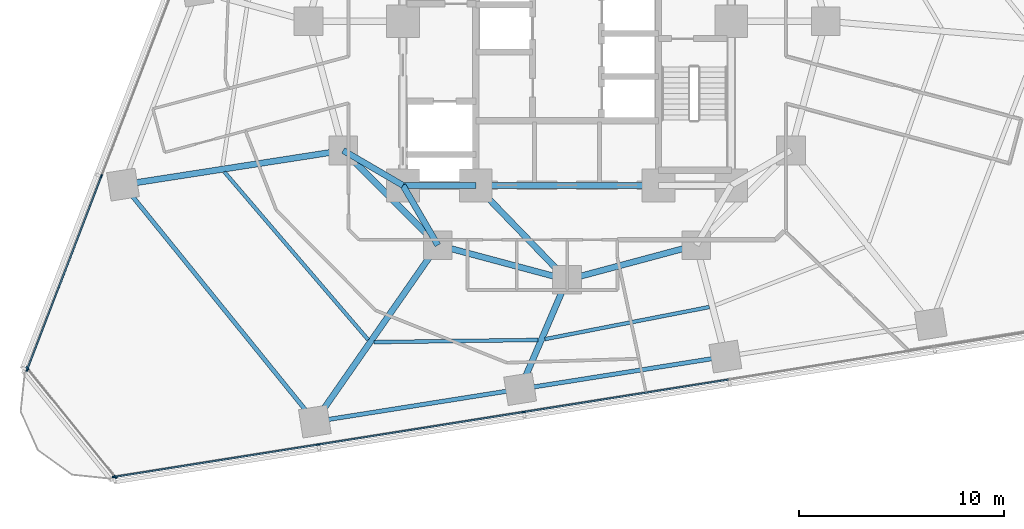
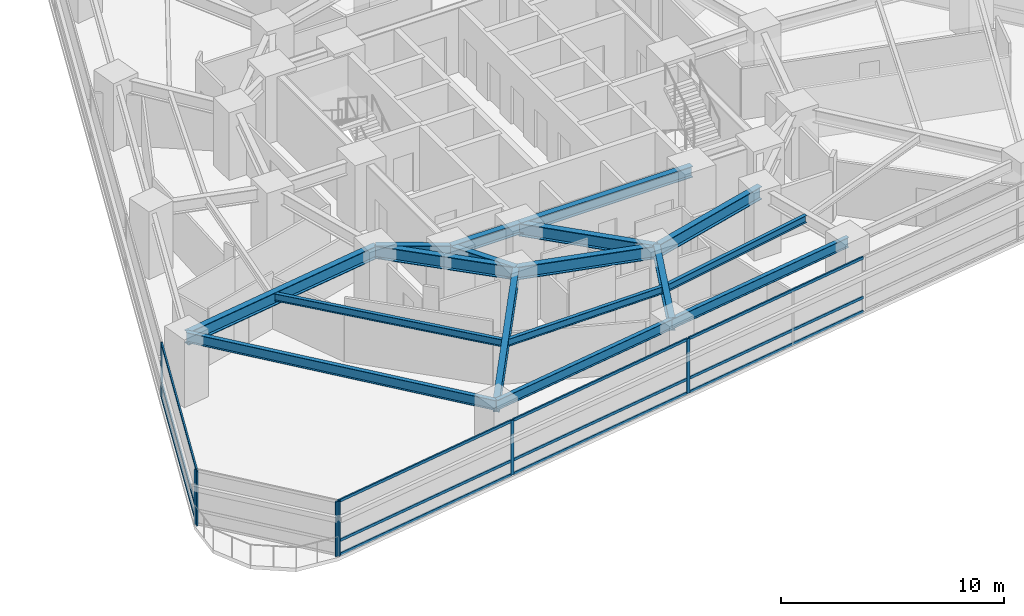
# One storey, part 2 of 14: 19 members, 17 beams, 3 elements without a shape of their own.
"""IFC4 building model written with IfcOpenShell, lengths in metres."""

from ifc_helpers import new_model, si_unit, direction, frame, origin, origin_2d, place, context, subcontext, project, spatial, rectangle, i_section, extrude, material, layer, layer_set, material_profile, profile_set, type_object, element, aggregate, save


model = new_model("IFC4")

# Units and contexts
model_context = context("Model", 3, precision=1e-05, world=origin(), true_north=direction((0.0, 1.0)))
body_context = subcontext(model_context, "Body", "Model", "MODEL_VIEW")
ifc_project = project(units=[si_unit("LENGTHUNIT", "METRE"), si_unit("AREAUNIT", "SQUARE_METRE"), si_unit("VOLUMEUNIT", "CUBIC_METRE"), si_unit("PLANEANGLEUNIT", "RADIAN"), si_unit("MASSUNIT", "GRAM", prefix="KILO")], contexts=[model_context])

# Site, building, storey
site_placement = place(None, origin())
site = spatial("IfcSite", under=ifc_project, at=site_placement, CompositionType="ELEMENT")
building_placement = place(site_placement, origin())
building = spatial("IfcBuilding", under=site, at=building_placement, Name="Terralouvre Media Tower", CompositionType="ELEMENT")
storey_placement = place(building_placement, frame((0.0, 0.0, 74.10009765625)))
storey = spatial("IfcBuildingStorey", under=building, at=storey_placement, Name="L18", CompositionType="ELEMENT", Elevation=74.10009765625)

# Beams
ifc_material_1 = material(Name="Structural steel S355J2", Category="steel")
ifc_material_profile_1 = material_profile(ifc_material_1, i_section(OverallWidth=0.179931640625, OverallDepth=0.39990234375, WebThickness=0.008544921875, FlangeThickness=0.013427734375, at=origin_2d()), Name="IPE 400")
ifc_profile_set_1 = profile_set([ifc_material_profile_1], Name="Structural steel S355J2")
beam_type_1 = type_object("IfcBeamType", Name="Composite Floor Joist J-IPE400 (IPE 400)", PredefinedType="JOIST", material=ifc_profile_set_1)
beam_1_placement = place(storey_placement, frame((-16.69921875, -7.3486328125, 3.2998046875), z_axis=(0.650576599138, -0.759440641955, 0.0), x_axis=(0.759440641955, 0.650576599138, 0.0)))
element("IfcBeam", 1, at=beam_1_placement, inside=storey, type_object=beam_type_1, Name="L18 Framing Beam JT-L18-01", PredefinedType="JOIST", context=body_context, shape_type="SweptSolid", body=[
    extrude(i_section(OverallWidth=0.179931640625, OverallDepth=0.39990234375, WebThickness=0.008544921875, FlangeThickness=0.013427734375, at=origin_2d()), origin(), (0.0, 0.0, 1.0), 10.766845703125),
])
beam_2_placement = place(storey_placement, frame((-9.41259765625, -15.63916015625, 3.2998046875), z_axis=(0.999910093881, 0.013409107136, 0.0), x_axis=(-0.013409107136, 0.999910093881, 0.0)))
element("IfcBeam", 2, at=beam_2_placement, inside=storey, type_object=beam_type_1, Name="L18 Framing Beam JT-L18-02", PredefinedType="JOIST", context=body_context, shape_type="SweptSolid", body=[
    extrude(i_section(OverallWidth=0.179931640625, OverallDepth=0.39990234375, WebThickness=0.008544921875, FlangeThickness=0.013427734375, at=origin_2d()), origin(), (0.0, 0.0, 1.0), 7.992919921875),
])
beam_3_placement = place(storey_placement, frame((-1.08203125, -15.495361328125, 3.2998046875), z_axis=(0.981397676367, 0.191985939127, 0.0), x_axis=(-0.191985939127, 0.981397676367, 0.0)))
element("IfcBeam", 3, at=beam_3_placement, inside=storey, type_object=beam_type_1, Name="L18 Framing Beam JT-L18-03", PredefinedType="JOIST", context=body_context, shape_type="SweptSolid", body=[
    extrude(i_section(OverallWidth=0.179931640625, OverallDepth=0.39990234375, WebThickness=0.008544921875, FlangeThickness=0.013427734375, at=origin_2d()), origin(), (0.0, 0.0, 1.0), 8.165283203125),
])

# Curtain wall, members
ifc_material_2 = material(Name="Low-iron laminated double glazing with solar-control coating", Category="glass")
ifc_layer_1 = layer(ifc_material_2, 0.1650390625, Name="Lower Media Tower Unitised Curtain Wall CW-02")
ifc_layer_set_1 = layer_set([ifc_layer_1], Name="Low-iron laminated double glazing with solar-control coating")
curtain_wall_type_1 = type_object("IfcCurtainWallType", Name="Lower Media Tower Unitised Curtain Wall CW-02", PredefinedType="NOTDEFINED", material=ifc_layer_set_1)
curtain_wall_1_placement = place(storey_placement, origin())
curtain_wall_1 = element("IfcCurtainWall", 4, at=curtain_wall_1_placement, inside=storey, type_object=curtain_wall_type_1, Name="L18 Facade Curtain Wall F0", PredefinedType="NOTDEFINED")
ifc_material_3 = material(Name="Anodised extruded aluminium 6063-T6", Category="aluminium")
ifc_material_profile_2 = material_profile(ifc_material_3, rectangle(XDim=0.074951171875, YDim=0.14990234375, at=origin_2d()), Name="ALU 75x150")
ifc_profile_set_2 = profile_set([ifc_material_profile_2], Name="Anodised extruded aluminium 6063-T6")
member_type_1 = type_object("IfcMemberType", Name="Curtain-Wall Horizontal Transom TR-150", PredefinedType="USERDEFINED", material=ifc_profile_set_2)
member_1_placement = place(storey_placement, frame((-22.04345703125, -22.2001953125, 0.037353515625), z_axis=(0.987689925264, 0.15642445951, 0.0), x_axis=(-0.15642445951, 0.987689925264, 0.0)))
member_1 = element("IfcMember", 5, at=member_1_placement, type_object=member_type_1, Name="CW-02 transom 1.1", ObjectType="TRANSOM", PredefinedType="USERDEFINED", context=body_context, shape_type="SweptSolid", body=[
    extrude(rectangle(XDim=0.074951171875, YDim=0.14990234375, at=origin_2d()), origin(), (0.0, 0.0, 1.0), 10.015380859375),
])
member_2_placement = place(storey_placement, frame((-22.04345703125, -22.2001953125, 0.7998046875), z_axis=(0.987689925264, 0.15642445951, 0.0), x_axis=(-0.15642445951, 0.987689925264, 0.0)))
member_2 = element("IfcMember", 6, at=member_2_placement, type_object=member_type_1, Name="CW-02 transom 1.2", ObjectType="TRANSOM", PredefinedType="USERDEFINED", context=body_context, shape_type="SweptSolid", body=[
    extrude(rectangle(XDim=0.074951171875, YDim=0.14990234375, at=origin_2d()), origin(), (0.0, 0.0, 1.0), 10.015380859375),
])
member_3_placement = place(storey_placement, frame((-22.04345703125, -22.2001953125, 2.96240234375), z_axis=(0.987689925264, 0.15642445951, 0.0), x_axis=(-0.15642445951, 0.987689925264, 0.0)))
member_3 = element("IfcMember", 7, at=member_3_placement, type_object=member_type_1, Name="CW-02 transom 1.3", ObjectType="TRANSOM", PredefinedType="USERDEFINED", context=body_context, shape_type="SweptSolid", body=[
    extrude(rectangle(XDim=0.074951171875, YDim=0.14990234375, at=origin_2d()), origin(), (0.0, 0.0, 1.0), 10.015380859375),
])
member_4_placement = place(storey_placement, frame((-12.0771484375, -20.62158203125, 0.037353515625), z_axis=(0.987690198625, 0.156422733448, 0.0), x_axis=(-0.156422733448, 0.987690198625, 0.0)))
member_4 = element("IfcMember", 8, at=member_4_placement, type_object=member_type_1, Name="CW-02 transom 2.1", ObjectType="TRANSOM", PredefinedType="USERDEFINED", context=body_context, shape_type="SweptSolid", body=[
    extrude(rectangle(XDim=0.074951171875, YDim=0.14990234375, at=origin_2d()), origin(), (0.0, 0.0, 1.0), 10.052978515625),
])
member_5_placement = place(storey_placement, frame((-12.0771484375, -20.62158203125, 0.7998046875), z_axis=(0.987690198625, 0.156422733448, 0.0), x_axis=(-0.156422733448, 0.987690198625, 0.0)))
member_5 = element("IfcMember", 9, at=member_5_placement, type_object=member_type_1, Name="CW-02 transom 2.2", ObjectType="TRANSOM", PredefinedType="USERDEFINED", context=body_context, shape_type="SweptSolid", body=[
    extrude(rectangle(XDim=0.074951171875, YDim=0.14990234375, at=origin_2d()), origin(), (0.0, 0.0, 1.0), 10.052978515625),
])
member_6_placement = place(storey_placement, frame((-12.0771484375, -20.62158203125, 2.96240234375), z_axis=(0.987690198625, 0.156422733448, 0.0), x_axis=(-0.156422733448, 0.987690198625, 0.0)))
member_6 = element("IfcMember", 10, at=member_6_placement, type_object=member_type_1, Name="CW-02 transom 2.3", ObjectType="TRANSOM", PredefinedType="USERDEFINED", context=body_context, shape_type="SweptSolid", body=[
    extrude(rectangle(XDim=0.074951171875, YDim=0.14990234375, at=origin_2d()), origin(), (0.0, 0.0, 1.0), 10.052978515625),
])
member_7_placement = place(storey_placement, frame((-2.073974609375, -19.037353515625, 0.037353515625), z_axis=(0.987686446318, 0.156446424568, 0.0), x_axis=(-0.156446424568, 0.987686446318, 0.0)))
member_7 = element("IfcMember", 11, at=member_7_placement, type_object=member_type_1, Name="CW-02 transom 3.1", ObjectType="TRANSOM", PredefinedType="USERDEFINED", context=body_context, shape_type="SweptSolid", body=[
    extrude(rectangle(XDim=0.074951171875, YDim=0.14990234375, at=origin_2d()), origin(), (0.0, 0.0, 1.0), 10.052978515625),
])
member_8_placement = place(storey_placement, frame((-2.073974609375, -19.037353515625, 0.7998046875), z_axis=(0.987686446318, 0.156446424568, 0.0), x_axis=(-0.156446424568, 0.987686446318, 0.0)))
member_8 = element("IfcMember", 12, at=member_8_placement, type_object=member_type_1, Name="CW-02 transom 3.2", ObjectType="TRANSOM", PredefinedType="USERDEFINED", context=body_context, shape_type="SweptSolid", body=[
    extrude(rectangle(XDim=0.074951171875, YDim=0.14990234375, at=origin_2d()), origin(), (0.0, 0.0, 1.0), 10.052978515625),
])
member_9_placement = place(storey_placement, frame((-2.073974609375, -19.037353515625, 2.96240234375), z_axis=(0.987686446318, 0.156446424568, 0.0), x_axis=(-0.156446424568, 0.987686446318, 0.0)))
member_9 = element("IfcMember", 13, at=member_9_placement, type_object=member_type_1, Name="CW-02 transom 3.3", ObjectType="TRANSOM", PredefinedType="USERDEFINED", context=body_context, shape_type="SweptSolid", body=[
    extrude(rectangle(XDim=0.074951171875, YDim=0.14990234375, at=origin_2d()), origin(), (0.0, 0.0, 1.0), 10.052978515625),
])

curtain_wall_2_placement = place(storey_placement, origin())
curtain_wall_2 = element("IfcCurtainWall", 14, at=curtain_wall_2_placement, inside=storey, type_object=curtain_wall_type_1, Name="L18 Facade Curtain Wall F2", PredefinedType="NOTDEFINED")
member_10_placement = place(storey_placement, frame((-22.708984375, -7.595947265625, 0.037353515625), z_axis=(-0.358363173116, -0.933582259983, 0.0), x_axis=(0.933582259983, -0.358363173116, 0.0)))
member_10 = element("IfcMember", 15, at=member_10_placement, type_object=member_type_1, Name="CW-02 transom 5.1", ObjectType="TRANSOM", PredefinedType="USERDEFINED", context=body_context, shape_type="SweptSolid", body=[
    extrude(rectangle(XDim=0.074951171875, YDim=0.14990234375, at=origin_2d()), origin(), (0.0, 0.0, 1.0), 10.015380859375),
])
member_11_placement = place(storey_placement, frame((-22.708984375, -7.595947265625, 0.7998046875), z_axis=(-0.358363173116, -0.933582259983, 0.0), x_axis=(0.933582259983, -0.358363173116, 0.0)))
member_11 = element("IfcMember", 16, at=member_11_placement, type_object=member_type_1, Name="CW-02 transom 5.2", ObjectType="TRANSOM", PredefinedType="USERDEFINED", context=body_context, shape_type="SweptSolid", body=[
    extrude(rectangle(XDim=0.074951171875, YDim=0.14990234375, at=origin_2d()), origin(), (0.0, 0.0, 1.0), 10.015380859375),
])
member_12_placement = place(storey_placement, frame((-22.708984375, -7.595947265625, 2.96240234375), z_axis=(-0.358363173116, -0.933582259983, 0.0), x_axis=(0.933582259983, -0.358363173116, 0.0)))
member_12 = element("IfcMember", 17, at=member_12_placement, type_object=member_type_1, Name="CW-02 transom 5.3", ObjectType="TRANSOM", PredefinedType="USERDEFINED", context=body_context, shape_type="SweptSolid", body=[
    extrude(rectangle(XDim=0.074951171875, YDim=0.14990234375, at=origin_2d()), origin(), (0.0, 0.0, 1.0), 10.015380859375),
])

# Member
ifc_material_4 = material(Name="Anodised extruded aluminium 6063-T6", Category="aluminium")
ifc_material_profile_3 = material_profile(ifc_material_4, rectangle(XDim=0.074951171875, YDim=0.179931640625, at=origin_2d()), Name="ALU 75x180")
ifc_profile_set_3 = profile_set([ifc_material_profile_3], Name="Anodised extruded aluminium 6063-T6")
member_type_2 = type_object("IfcMemberType", Name="Curtain-Wall Vertical Mullion ML-180", PredefinedType="MULLION", material=ifc_profile_set_3)
member_13_placement = place(storey_placement, frame((-22.08056640625, -22.2060546875, 0.0), z_axis=(0.0, 0.0, 1.0), x_axis=(-0.156434462903, 0.987688340934, 0.0)))
member_13 = element("IfcMember", 18, at=member_13_placement, type_object=member_type_2, Name="CW-02 mullion 1", PredefinedType="MULLION", context=body_context, shape_type="SweptSolid", body=[
    extrude(rectangle(XDim=0.074951171875, YDim=0.179931640625, at=origin_2d()), origin(), (0.0, 0.0, 1.0), 3.0),
])

member_14_placement = place(storey_placement, frame((-12.1142578125, -20.62744140625, 0.0), z_axis=(0.0, 0.0, 1.0), x_axis=(-0.156434462903, 0.987688340934, 0.0)))
member_14 = element("IfcMember", 19, at=member_14_placement, type_object=member_type_2, Name="CW-02 mullion 2", PredefinedType="MULLION", context=body_context, shape_type="SweptSolid", body=[
    extrude(rectangle(XDim=0.074951171875, YDim=0.179931640625, at=origin_2d()), origin(), (0.0, 0.0, 1.0), 3.0),
])

member_15_placement = place(storey_placement, frame((-2.111083984375, -19.043212890625, 0.0), z_axis=(0.0, 0.0, 1.0), x_axis=(-0.156434462903, 0.987688340934, 0.0)))
member_15 = element("IfcMember", 20, at=member_15_placement, type_object=member_type_2, Name="CW-02 mullion 3", PredefinedType="MULLION", context=body_context, shape_type="SweptSolid", body=[
    extrude(rectangle(XDim=0.074951171875, YDim=0.179931640625, at=origin_2d()), origin(), (0.0, 0.0, 1.0), 3.0),
])

aggregate(curtain_wall_1, [member_13, member_14, member_15, member_1, member_2, member_3, member_4, member_5, member_6, member_7, member_8, member_9])

member_16_placement = place(storey_placement, frame((-22.695556640625, -7.560791015625, 0.0), z_axis=(0.0, 0.0, 1.0), x_axis=(0.933580438988, -0.358367917006, 0.0)))
member_16 = element("IfcMember", 21, at=member_16_placement, type_object=member_type_2, Name="CW-02 mullion 5", PredefinedType="MULLION", context=body_context, shape_type="SweptSolid", body=[
    extrude(rectangle(XDim=0.074951171875, YDim=0.179931640625, at=origin_2d()), origin(), (0.0, 0.0, 1.0), 3.0),
])

member_17_placement = place(storey_placement, frame((-26.3115234375, -16.981201171875, 0.0), z_axis=(0.0, 0.0, 1.0), x_axis=(0.933580438988, -0.358367917006, 0.0)))
member_17 = element("IfcMember", 22, at=member_17_placement, type_object=member_type_2, Name="CW-02 mullion 6", PredefinedType="MULLION", context=body_context, shape_type="SweptSolid", body=[
    extrude(rectangle(XDim=0.074951171875, YDim=0.179931640625, at=origin_2d()), origin(), (0.0, 0.0, 1.0), 3.0),
])

aggregate(curtain_wall_2, [member_16, member_17, member_10, member_11, member_12])

# Curtain wall, members
ifc_material_5 = material(Name="Low-iron laminated double glazing with solar-control coating", Category="glass")
ifc_layer_2 = layer(ifc_material_5, 0.1650390625, Name="Rounded Wind-Corner Curved Glazing CW-04")
ifc_layer_set_2 = layer_set([ifc_layer_2], Name="Low-iron laminated double glazing with solar-control coating")
curtain_wall_type_2 = type_object("IfcCurtainWallType", Name="Rounded Wind-Corner Curved Glazing CW-04", PredefinedType="NOTDEFINED", material=ifc_layer_set_2)
curtain_wall_3_placement = place(storey_placement, origin())
curtain_wall_3 = element("IfcCurtainWall", 23, at=curtain_wall_3_placement, inside=storey, type_object=curtain_wall_type_2, Name="L18 Rounded Wind-Corner Curtain Wall C0", PredefinedType="NOTDEFINED")
member_18_placement = place(storey_placement, frame((-26.3046875, -16.9140625, 0.0), z_axis=(0.0, 0.0, 1.0), x_axis=(0.777146252262, 0.629320031936, 0.0)))
member_18 = element("IfcMember", 24, at=member_18_placement, type_object=member_type_2, Name="CW-04 mullion 1", PredefinedType="MULLION", context=body_context, shape_type="SweptSolid", body=[
    extrude(rectangle(XDim=0.074951171875, YDim=0.179931640625, at=origin_2d()), origin(), (0.0, 0.0, 1.0), 3.0),
])
member_19_placement = place(storey_placement, frame((-22.013671875, -22.213134765625, 0.0), z_axis=(0.0, 0.0, 1.0), x_axis=(0.777146252262, 0.629320031936, 0.0)))
member_19 = element("IfcMember", 25, at=member_19_placement, type_object=member_type_2, Name="CW-04 mullion 2", PredefinedType="MULLION", context=body_context, shape_type="SweptSolid", body=[
    extrude(rectangle(XDim=0.074951171875, YDim=0.179931640625, at=origin_2d()), origin(), (0.0, 0.0, 1.0), 3.0),
])
aggregate(curtain_wall_3, [member_18, member_19])

# Beams
ifc_material_6 = material(Name="Structural steel S355J2", Category="steel")
ifc_material_profile_4 = material_profile(ifc_material_6, i_section(OverallWidth=0.2099609375, OverallDepth=0.550048828125, WebThickness=0.010986328125, FlangeThickness=0.01708984375, at=origin_2d()), Name="IPE 550")
ifc_profile_set_4 = profile_set([ifc_material_profile_4], Name="Structural steel S355J2")
beam_type_2 = type_object("IfcBeamType", Name="Perimeter Spandrel Beam SPB-550 (IPE 550)", PredefinedType="SPANDREL", material=ifc_profile_set_4)
beam_4_placement = place(storey_placement, frame((-21.640625, -7.9658203125, 3.224853515625), z_axis=(0.629325386112, -0.777141916509, 0.0), x_axis=(0.777141916509, 0.629325386112, 0.0)))
element("IfcBeam", 26, at=beam_4_placement, inside=storey, type_object=beam_type_2, Name="L18 Framing Beam BM-L18-PR01", PredefinedType="SPANDREL", context=body_context, shape_type="SweptSolid", body=[
    extrude(i_section(OverallWidth=0.2099609375, OverallDepth=0.550048828125, WebThickness=0.010986328125, FlangeThickness=0.01708984375, at=origin_2d()), origin(), (0.0, 0.0, 1.0), 14.8564453125),
])
beam_5_placement = place(storey_placement, frame((-12.291015625, -19.511474609375, 3.224853515625), z_axis=(0.987686424887, 0.156446559869, 0.0), x_axis=(-0.156446559869, 0.987686424887, 0.0)))
element("IfcBeam", 27, at=beam_5_placement, inside=storey, type_object=beam_type_2, Name="L18 Framing Beam BM-L18-PR02", PredefinedType="SPANDREL", context=body_context, shape_type="SweptSolid", body=[
    extrude(i_section(OverallWidth=0.2099609375, OverallDepth=0.550048828125, WebThickness=0.010986328125, FlangeThickness=0.01708984375, at=origin_2d()), origin(), (0.0, 0.0, 1.0), 10.1279296875),
])
beam_6_placement = place(storey_placement, frame((-2.287841796875, -17.927001953125, 3.224853515625), z_axis=(0.987690739256, 0.15641931974, 0.0), x_axis=(-0.15641931974, 0.987690739256, 0.0)))
element("IfcBeam", 28, at=beam_6_placement, inside=storey, type_object=beam_type_2, Name="L18 Framing Beam BM-L18-PR03", PredefinedType="SPANDREL", context=body_context, shape_type="SweptSolid", body=[
    extrude(i_section(OverallWidth=0.2099609375, OverallDepth=0.550048828125, WebThickness=0.010986328125, FlangeThickness=0.01708984375, at=origin_2d()), origin(), (0.0, 0.0, 1.0), 10.128173828125),
])
ifc_material_7 = material(Name="Structural steel S460M", Category="steel")
ifc_material_profile_5 = material_profile(ifc_material_7, i_section(OverallWidth=0.300048828125, OverallDepth=0.60009765625, WebThickness=0.015380859375, FlangeThickness=0.030029296875, at=origin_2d()), Name="HEB 600")
ifc_profile_set_5 = profile_set([ifc_material_profile_5], Name="Structural steel S460M")
beam_type_3 = type_object("IfcBeamType", Name="Primary Floor Girder B-HEB600 (HEB 600)", PredefinedType="BEAM", material=ifc_profile_set_5)
beam_7_placement = place(storey_placement, frame((-8.0, -8.0, 3.199951171875), z_axis=(1.0, 0.0, 0.0), x_axis=(0.0, 1.0, 0.0)))
element("IfcBeam", 29, at=beam_7_placement, inside=storey, type_object=beam_type_3, Name="L18 Framing Beam BM-L18-CPR01", PredefinedType="BEAM", context=body_context, shape_type="SweptSolid", body=[
    extrude(i_section(OverallWidth=0.300048828125, OverallDepth=0.60009765625, WebThickness=0.015380859375, FlangeThickness=0.030029296875, at=origin_2d()), origin(), (0.0, 0.0, 1.0), 3.550048828125),
])
beam_8_placement = place(storey_placement, frame((-4.449951171875, -8.0, 3.199951171875), z_axis=(1.0, 0.0, 0.0), x_axis=(0.0, 1.0, 0.0)))
element("IfcBeam", 30, at=beam_8_placement, inside=storey, type_object=beam_type_3, Name="L18 Framing Beam BM-L18-CPR02", PredefinedType="BEAM", context=body_context, shape_type="SweptSolid", body=[
    extrude(i_section(OverallWidth=0.300048828125, OverallDepth=0.60009765625, WebThickness=0.015380859375, FlangeThickness=0.030029296875, at=origin_2d()), origin(), (0.0, 0.0, 1.0), 8.89990234375),
])
ifc_material_8 = material(Name="Structural steel S460M", Category="steel")
ifc_material_profile_6 = material_profile(ifc_material_8, i_section(OverallWidth=0.300048828125, OverallDepth=0.699951171875, WebThickness=0.01708984375, FlangeThickness=0.031982421875, at=origin_2d()), Name="HEB 700")
ifc_profile_set_6 = profile_set([ifc_material_profile_6], Name="Structural steel S460M")
beam_type_4 = type_object("IfcBeamType", Name="Primary Floor Girder B-HEB700 (HEB 700)", PredefinedType="BEAM", material=ifc_profile_set_6)
beam_9_placement = place(storey_placement, frame((-10.911865234375, -6.300048828125, 3.14990234375), z_axis=(0.707106781187, -0.707106781187, 0.0), x_axis=(0.707106781187, 0.707106781187, 0.0)))
element("IfcBeam", 31, at=beam_9_placement, inside=storey, type_object=beam_type_4, Name="L18 Framing Beam BM-L18-MR01", PredefinedType="BEAM", context=body_context, shape_type="SweptSolid", body=[
    extrude(i_section(OverallWidth=0.300048828125, OverallDepth=0.699951171875, WebThickness=0.01708984375, FlangeThickness=0.031982421875, at=origin_2d()), origin(), (0.0, 0.0, 1.0), 6.52197265625),
])
for number, where, z_axis, x_axis, name in (
    (32, (-6.300048828125, -10.911865234375, 3.14990234375), (0.965920481897, -0.258838989821, 0.0), (0.258838989821, 0.965920481897, 0.0), "L18 Framing Beam BM-L18-MR02"),
    (33, (0.0, -12.60009765625, 3.14990234375), (0.965920481897, 0.258838989821, 0.0), (-0.258838989821, 0.965920481897, 0.0), "L18 Framing Beam BM-L18-MR03"),
):
    element("IfcBeam", number, at=place(storey_placement, frame(where, z_axis=z_axis, x_axis=x_axis)), inside=storey, type_object=beam_type_4, Name=name, PredefinedType="BEAM", context=body_context, shape_type="SweptSolid", body=[
        extrude(i_section(OverallWidth=0.300048828125, OverallDepth=0.699951171875, WebThickness=0.01708984375, FlangeThickness=0.031982421875, at=origin_2d()), origin(), (0.0, 0.0, 1.0), 6.522216796875),
    ])
for number, where, z_axis, x_axis, name in (
    (34, (-8.0, -8.0, 3.14990234375), (-0.863602894532, 0.504172629717, 0.0), (-0.504172629717, -0.863602894532, 0.0), "L18 Framing Beam BM-L18-CM01"),
    (35, (-8.0, -8.0, 3.14990234375), (0.504172629717, -0.863602894532, 0.0), (0.863602894532, 0.504172629717, 0.0), "L18 Framing Beam BM-L18-CM02"),
):
    element("IfcBeam", number, at=place(storey_placement, frame(where, z_axis=z_axis, x_axis=x_axis)), inside=storey, type_object=beam_type_4, Name=name, PredefinedType="BEAM", context=body_context, shape_type="SweptSolid", body=[
        extrude(i_section(OverallWidth=0.300048828125, OverallDepth=0.699951171875, WebThickness=0.01708984375, FlangeThickness=0.031982421875, at=origin_2d()), origin(), (0.0, 0.0, 1.0), 3.371826171875),
    ])
beam_10_placement = place(storey_placement, frame((-4.449951171875, -8.0, 3.14990234375), z_axis=(0.695279715726, -0.718739255155, 0.0), x_axis=(0.718739255155, 0.695279715726, 0.0)))
element("IfcBeam", 36, at=beam_10_placement, inside=storey, type_object=beam_type_4, Name="L18 Framing Beam BM-L18-CM03", PredefinedType="BEAM", context=body_context, shape_type="SweptSolid", body=[
    extrude(i_section(OverallWidth=0.300048828125, OverallDepth=0.699951171875, WebThickness=0.01708984375, FlangeThickness=0.031982421875, at=origin_2d()), origin(), (0.0, 0.0, 1.0), 6.400146484375),
])
beam_11_placement = place(storey_placement, frame((-10.911865234375, -6.300048828125, 3.14990234375), z_axis=(-0.98816044694, -0.153424023881, 0.0), x_axis=(0.153424023881, -0.98816044694, 0.0)))
element("IfcBeam", 37, at=beam_11_placement, inside=storey, type_object=beam_type_4, Name="L18 Framing Beam BM-L18-RD01", PredefinedType="BEAM", context=body_context, shape_type="SweptSolid", body=[
    extrude(i_section(OverallWidth=0.300048828125, OverallDepth=0.699951171875, WebThickness=0.01708984375, FlangeThickness=0.031982421875, at=origin_2d()), origin(), (0.0, 0.0, 1.0), 10.857421875),
])
beam_12_placement = place(storey_placement, frame((-6.300048828125, -10.911865234375, 3.14990234375), z_axis=(-0.571619237268, -0.820519011105, 0.0), x_axis=(0.820519011105, -0.571619237268, 0.0)))
element("IfcBeam", 38, at=beam_12_placement, inside=storey, type_object=beam_type_4, Name="L18 Framing Beam BM-L18-RD02", PredefinedType="BEAM", context=body_context, shape_type="SweptSolid", body=[
    extrude(i_section(OverallWidth=0.300048828125, OverallDepth=0.699951171875, WebThickness=0.01708984375, FlangeThickness=0.031982421875, at=origin_2d()), origin(), (0.0, 0.0, 1.0), 10.480712890625),
])
beam_13_placement = place(storey_placement, frame((0.0, -12.60009765625, 3.14990234375), z_axis=(-0.394630726641, -0.918839806272, 0.0), x_axis=(0.918839806272, -0.394630726641, 0.0)))
element("IfcBeam", 39, at=beam_13_placement, inside=storey, type_object=beam_type_4, Name="L18 Framing Beam BM-L18-RD03", PredefinedType="BEAM", context=body_context, shape_type="SweptSolid", body=[
    extrude(i_section(OverallWidth=0.300048828125, OverallDepth=0.699951171875, WebThickness=0.01708984375, FlangeThickness=0.031982421875, at=origin_2d()), origin(), (0.0, 0.0, 1.0), 5.79736328125),
])

save(model, "model.ifc")
